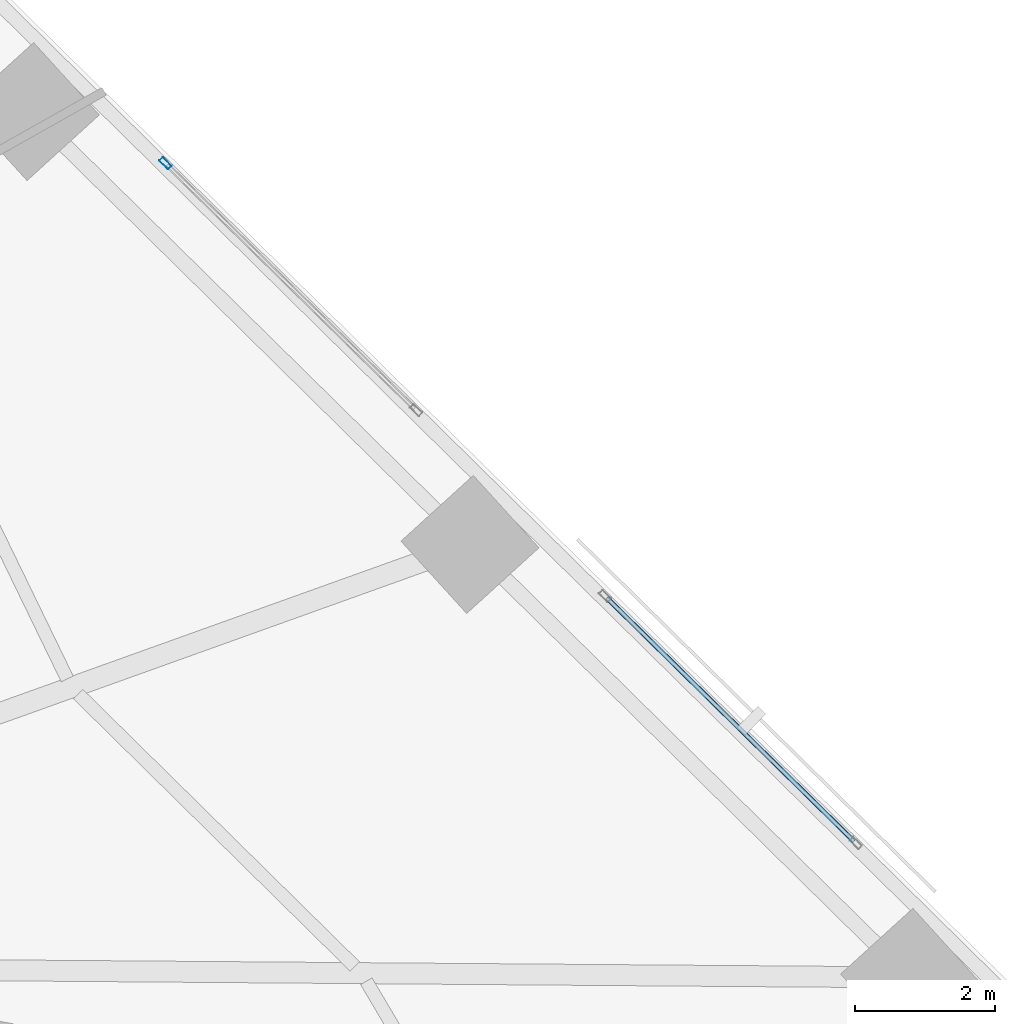
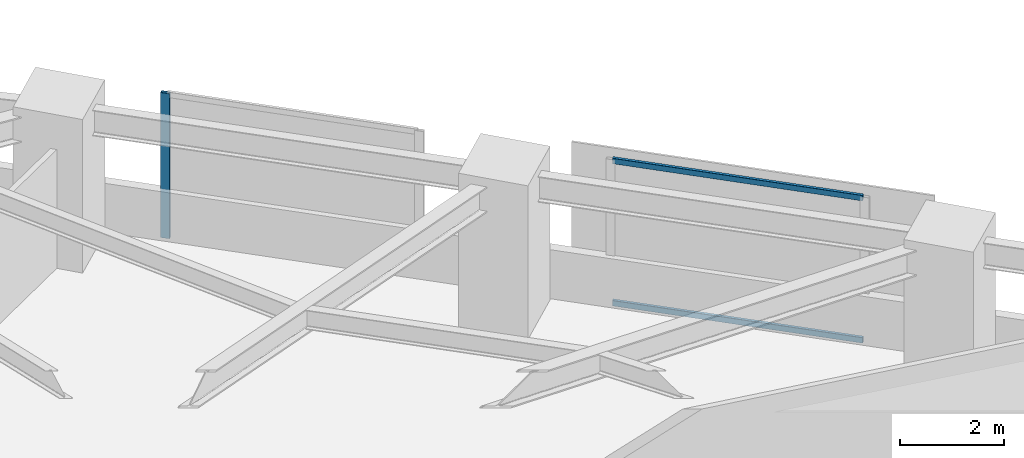
# One storey, part 7 of 17: 3 members, 2 elements without a shape of their own.
"""IFC4 building model written with IfcOpenShell, lengths in metres."""

from ifc_helpers import new_model, si_unit, direction, frame, origin, origin_2d, place, context, subcontext, project, spatial, hollow_rectangle, extrude, material, material_profile, profile_set, type_object, element, aggregate, save


model = new_model("IFC4")

# Units and contexts
model_context = context("Model", 3, precision=1e-05, world=origin(), true_north=direction((0.0, 1.0)))
body_context = subcontext(model_context, "Body", "Model", "MODEL_VIEW")
ifc_project = project(units=[si_unit("LENGTHUNIT", "METRE"), si_unit("AREAUNIT", "SQUARE_METRE"), si_unit("VOLUMEUNIT", "CUBIC_METRE"), si_unit("PLANEANGLEUNIT", "RADIAN"), si_unit("MASSUNIT", "GRAM", prefix="KILO")], contexts=[model_context])

# Site, building, storey
site_placement = place(None, origin())
site = spatial("IfcSite", under=ifc_project, at=site_placement, CompositionType="ELEMENT")
building_placement = place(site_placement, origin())
building = spatial("IfcBuilding", under=site, at=building_placement, Name="Narakoshi Arena Tower", CompositionType="ELEMENT")
storey_placement = place(building_placement, frame((0.0, 0.0, 37.5)))
storey = spatial("IfcBuildingStorey", under=building, at=storey_placement, Name="L09", CompositionType="ELEMENT", Elevation=37.5)

# Curtain wall, member
ifc_material = material(Name="Anodised bronze aluminium 6063-T6", Category="aluminium")
curtain_wall_type = type_object("IfcCurtainWallType", Name="CW-HYP-LOW", PredefinedType="NOTDEFINED", material=ifc_material)
curtain_wall_1_placement = place(storey_placement, origin())
curtain_wall_1 = element("IfcCurtainWall", 1, at=curtain_wall_1_placement, inside=storey, type_object=curtain_wall_type, Name="L09 Folded Hypotenuse Curtain Wall 1-4", PredefinedType="NOTDEFINED")
ifc_material_profile_1 = material_profile(ifc_material, hollow_rectangle(XDim=0.074951171875, YDim=0.179931640625, WallThickness=0.00390625, OuterFilletRadius=0.0048828125, at=origin_2d()), Name="MUL180x75x4")
ifc_profile_set_1 = profile_set([ifc_material_profile_1], Name="Anodised bronze aluminium 6063-T6")
member_type_1 = type_object("IfcMemberType", Name="MEM-MUL-180", PredefinedType="MULLION", material=ifc_profile_set_1)
member_1_placement = place(storey_placement, frame((97.982177734375, 54.835205078125, 0.0), z_axis=(0.0, 0.0, 1.0), x_axis=(-0.701632802488, -0.712538708053, 0.0)))
member_1 = element("IfcMember", 2, at=member_1_placement, type_object=member_type_1, Name="CW-01 mullion 2", PredefinedType="MULLION", context=body_context, shape_type="SweptSolid", body=[
    extrude(hollow_rectangle(XDim=0.074951171875, YDim=0.179931640625, WallThickness=0.00390625, OuterFilletRadius=0.0048828125, at=origin_2d()), origin(), (0.0, 0.0, 1.0), 3.39990234375),
])
aggregate(curtain_wall_1, [member_1])

# Curtain wall, members
curtain_wall_2_placement = place(storey_placement, origin())
curtain_wall_2 = element("IfcCurtainWall", 3, at=curtain_wall_2_placement, inside=storey, type_object=curtain_wall_type, Name="L09 Folded Hypotenuse Curtain Wall 1-3", PredefinedType="NOTDEFINED")
ifc_material_profile_2 = material_profile(ifc_material, hollow_rectangle(XDim=0.06494140625, YDim=0.1298828125, WallThickness=0.00390625, OuterFilletRadius=0.0048828125, at=origin_2d()), Name="TRN130x65x4")
ifc_profile_set_2 = profile_set([ifc_material_profile_2], Name="Anodised bronze aluminium 6063-T6")
member_type_2 = type_object("IfcMemberType", Name="MEM-TRN-130", PredefinedType="USERDEFINED", material=ifc_profile_set_2)
member_2_placement = place(storey_placement, frame((107.845947265625, 45.122314453125, 0.032470703125), z_axis=(-0.712542243067, 0.701629212508, 0.0), x_axis=(-0.701629212508, -0.712542243067, 0.0)))
member_2 = element("IfcMember", 4, at=member_2_placement, type_object=member_type_2, Name="CW-01 transom 1.1", ObjectType="TRANSOM", PredefinedType="USERDEFINED", context=body_context, shape_type="SweptSolid", body=[
    extrude(hollow_rectangle(XDim=0.06494140625, YDim=0.1298828125, WallThickness=0.00390625, OuterFilletRadius=0.0048828125, at=origin_2d()), origin(), (0.0, 0.0, 1.0), 4.966552734375),
])
member_3_placement = place(storey_placement, frame((107.845947265625, 45.122314453125, 3.367431640625), z_axis=(-0.712542243067, 0.701629212508, 0.0), x_axis=(-0.701629212508, -0.712542243067, 0.0)))
member_3 = element("IfcMember", 5, at=member_3_placement, type_object=member_type_2, Name="CW-01 transom 1.2", ObjectType="TRANSOM", PredefinedType="USERDEFINED", context=body_context, shape_type="SweptSolid", body=[
    extrude(hollow_rectangle(XDim=0.06494140625, YDim=0.1298828125, WallThickness=0.00390625, OuterFilletRadius=0.0048828125, at=origin_2d()), origin(), (0.0, 0.0, 1.0), 4.966552734375),
])
aggregate(curtain_wall_2, [member_2, member_3])

save(model, "model.ifc")
